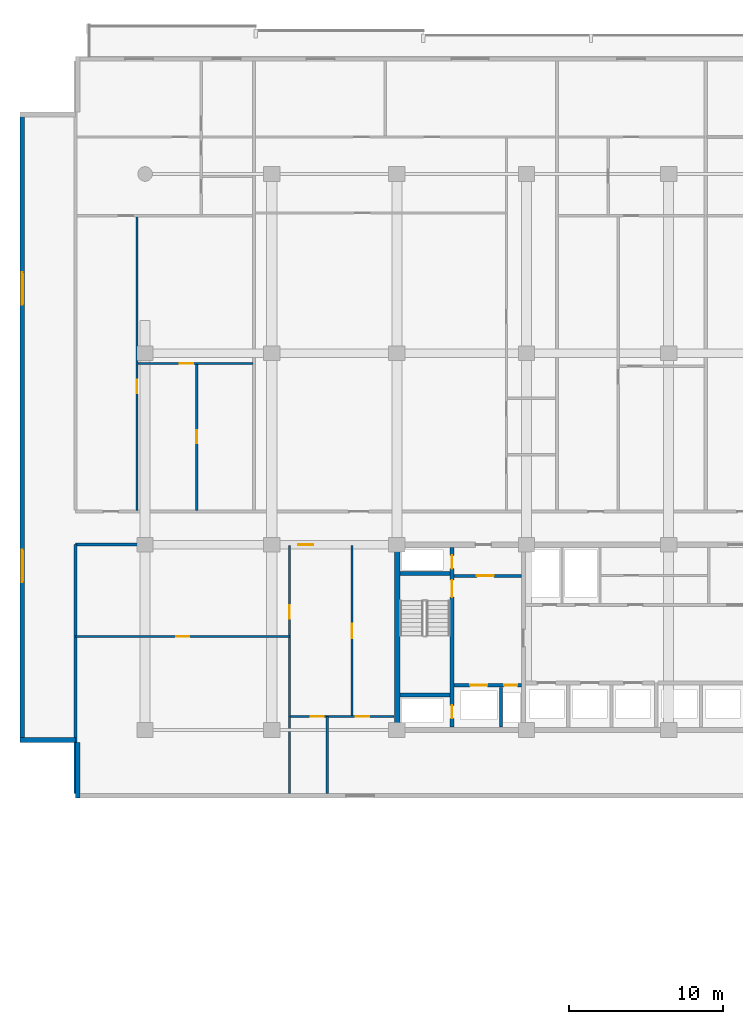
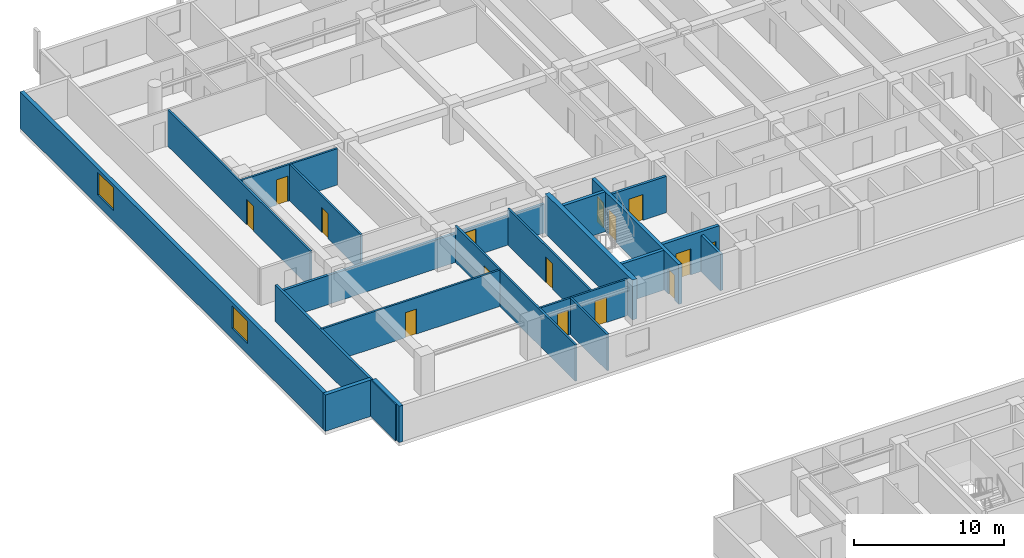
# One storey, part 10 of 24: 20 walls, 15 doors, 2 windows, 17 openings.
"""IFC4 building model written with IfcOpenShell, lengths in metres."""

import ifcopenshell
import ifcopenshell.guid

model = None  # the IFC model being written
_history = None  # IfcOwnerHistory: only IFC2X3 demands one
_inside = {}  # id of a spatial element -> (the spatial element, [elements in it])
_under = {}  # id of a project, library or spatial element -> (it, [spatial elements below it])
_declared = {}  # id of a project -> (the project, [libraries it declares])
_typed = {}  # id of a type object -> (the type object, [elements of that type])
_made_of = {}  # id of a material, layer set ... -> (it, [elements and type objects made of it])


def new_model(schema):
    """Start an empty IFC model of exactly this schema.

    Asked for "IFC4X3", IfcOpenShell would pick the latest addendum, in which some entities
    have other attributes; the version numbers below select the first issue.
    IFC2X3 requires an IfcOwnerHistory on every rooted entity: one is made here for all.
    """
    global model, _history
    if schema == "IFC4X3":
        model = ifcopenshell.file(schema_version=(4, 3, 0, 0))
    else:
        model = ifcopenshell.file(schema=schema)
    _inside.clear()
    _under.clear()
    _declared.clear()
    _typed.clear()
    _made_of.clear()
    _history = None
    if model.schema == "IFC2X3":
        org = make("IfcOrganization", Name="unknown")
        user = make(
            "IfcPersonAndOrganization",
            ThePerson=make("IfcPerson", FamilyName="unknown"),
            TheOrganization=org,
        )
        app = make(
            "IfcApplication",
            ApplicationDeveloper=org,
            Version="unknown",
            ApplicationFullName="unknown",
            ApplicationIdentifier="unknown",
        )
        _history = make(
            "IfcOwnerHistory",
            OwningUser=user,
            OwningApplication=app,
            ChangeAction="ADDED",
            CreationDate=0,
        )
    return model


def make(cls, **values):
    """One entity of the class cls with the attributes given. An attribute that is None is left unset."""
    return model.create_entity(
        cls, **{name: value for name, value in values.items() if value is not None}
    )


def rooted(cls, **values):
    """An entity with a GlobalId (a new one), such as an element, a storey or a relation."""
    return make(cls, GlobalId=ifcopenshell.guid.new(), OwnerHistory=_history, **values)


def si_unit(unit_type, name, prefix=None):
    """IfcSIUnit, for example si_unit("LENGTHUNIT", "METRE", prefix="MILLI")."""
    return make("IfcSIUnit", UnitType=unit_type, Prefix=prefix, Name=name)


def assignment(units):
    """IfcUnitAssignment: the units of a project."""
    return None if units is None else make("IfcUnitAssignment", Units=units)


def point(xyz):
    """IfcCartesianPoint."""
    return None if xyz is None else make("IfcCartesianPoint", Coordinates=xyz)


def direction(xyz):
    """IfcDirection."""
    return None if xyz is None else make("IfcDirection", DirectionRatios=xyz)


def frame(location, z_axis=None, x_axis=None):
    """IfcAxis2Placement3D, a coordinate frame: its origin and axes. An axis left out is left unset."""
    return make(
        "IfcAxis2Placement3D",
        Location=point(location),
        Axis=direction(z_axis),
        RefDirection=direction(x_axis),
    )


def frame_2d(location, x_axis=None):
    """IfcAxis2Placement2D, a coordinate frame in the plane: its origin and x axis."""
    return make(
        "IfcAxis2Placement2D", Location=point(location), RefDirection=direction(x_axis)
    )


def origin():
    """The frame at (0, 0, 0) with its axes left unset."""
    return frame((0.0, 0.0, 0.0))


def place(relative_to, where):
    """IfcLocalPlacement: puts the frame where relative to a parent placement (None: the world)."""
    return make(
        "IfcLocalPlacement", PlacementRelTo=relative_to, RelativePlacement=where
    )


def context(
    kind, dimensions, precision=None, world=None, true_north=None, identifier=None
):
    """IfcGeometricRepresentationContext, for example the 3D "Model" context."""
    return make(
        "IfcGeometricRepresentationContext",
        ContextIdentifier=identifier,
        ContextType=kind,
        CoordinateSpaceDimension=dimensions,
        Precision=precision,
        WorldCoordinateSystem=world,
        TrueNorth=true_north,
    )


def subcontext(parent, identifier, kind, view, scale=None):
    """IfcGeometricRepresentationSubContext, for example "Body" below "Model"."""
    return make(
        "IfcGeometricRepresentationSubContext",
        ContextIdentifier=identifier,
        ContextType=kind,
        ParentContext=parent,
        TargetScale=scale,
        TargetView=view,
    )


def project(units=None, contexts=None):
    """IfcProject with its units and contexts."""
    return rooted(
        "IfcProject",
        Name="project",
        RepresentationContexts=contexts,
        UnitsInContext=assignment(units),
    )


def spatial(cls, under=None, at=None, **own):
    """A site, building, storey or space (cls), placed at a placement, below another one or the project."""
    s = rooted(cls, ObjectPlacement=at, **own)
    if under is not None:
        _under.setdefault(under.id(), (under, []))[1].append(s)
    return s


def profile(cls, at=None, kind="AREA", **sizes):
    """A parametric profile (cls). Its sizes go by their IFC names, for example OverallWidth=200.0."""
    return make(cls, ProfileType=kind, Position=at, **sizes)


def rectangle(**sizes):
    """IfcRectangleProfileDef."""
    return profile("IfcRectangleProfileDef", **sizes)


def extrude(swept, where, along, depth):
    """IfcExtrudedAreaSolid: the profile swept, set in the frame where, extruded along a direction by depth."""
    return make(
        "IfcExtrudedAreaSolid",
        SweptArea=swept,
        Position=where,
        ExtrudedDirection=direction(along),
        Depth=depth,
    )


def shape(context_of_items, identifier, shape_type, items):
    """IfcShapeRepresentation: the items that make up one representation, for example the "Body"."""
    return make(
        "IfcShapeRepresentation",
        ContextOfItems=context_of_items,
        RepresentationIdentifier=identifier,
        RepresentationType=shape_type,
        Items=items,
    )


def material(Name=None, Category=None):
    """IfcMaterial."""
    return make("IfcMaterial", Name=Name, Category=Category)


def layer(
    of_material, thickness, ventilated=None, Name=None, Category=None, Priority=None
):
    """IfcMaterialLayer: one layer of a wall or slab, of a material (None: an air gap)."""
    return make(
        "IfcMaterialLayer",
        Material=of_material,
        LayerThickness=thickness,
        IsVentilated=ventilated,
        Name=Name,
        Category=Category,
        Priority=Priority,
    )


def layer_set(layers, Name=None):
    """IfcMaterialLayerSet."""
    return make("IfcMaterialLayerSet", MaterialLayers=layers, LayerSetName=Name)


def made_of(thing, what):
    """Note that an element or type object is made of a material, layer set ...; save() writes the relation."""
    if what is not None:
        _made_of.setdefault(what.id(), (what, []))[1].append(thing)
    return thing


def type_object(cls, material=None, **own):
    """A type object (cls), such as IfcWallType, which elements share."""
    return made_of(rooted(cls, **own), material)


def element(
    cls,
    number,
    at=None,
    inside=None,
    cuts=None,
    type_object=None,
    material=None,
    context=None,
    identifier="Body",
    shape_type=None,
    held_by="IfcProductDefinitionShape",
    body=None,
    shapes=None,
    **own,
):
    """One element of the class cls, such as IfcWall. Its Tag is "e" and its number.

    at: its placement. inside: the storey or other place that contains it. cuts: it is an
    opening in that element (IfcRelVoidsElement). A single representation is given by context,
    identifier, shape_type and body (its items); several are given by shapes. held_by: the class
    of the entity that holds the representations. save() writes the other relations.
    """
    e = rooted(cls, Tag="e%d" % number, ObjectPlacement=at, **own)
    if body is not None:
        shapes = [shape(context, identifier, shape_type, body)]
    if shapes is not None:
        e.Representation = make(held_by, Representations=shapes)
    if inside is not None:
        _inside.setdefault(inside.id(), (inside, []))[1].append(e)
    if cuts is not None:
        rooted(
            "IfcRelVoidsElement", RelatingBuildingElement=cuts, RelatedOpeningElement=e
        )
    if type_object is not None:
        _typed.setdefault(type_object.id(), (type_object, []))[1].append(e)
    return made_of(e, material)


def fill(opening, filler):
    """IfcRelFillsElement: the door or window that sits in an opening."""
    return rooted(
        "IfcRelFillsElement",
        RelatingOpeningElement=opening,
        RelatedBuildingElement=filler,
    )


def aggregate(whole, parts):
    """IfcRelAggregates: a whole, such as a stair, and the parts it consists of."""
    return rooted("IfcRelAggregates", RelatingObject=whole, RelatedObjects=parts)


def save(model, path):
    """Write the relations noted so far, then the file.

    IfcRelAggregates (storeys below a building ...), IfcRelContainedInSpatialStructure (elements
    in a storey), IfcRelDefinesByType, IfcRelAssociatesMaterial and IfcRelDeclares: one each for
    every whole, place, type object, material and project.
    """
    for whole, parts in _under.values():
        aggregate(whole, parts)
    for where, things in _inside.values():
        rooted(
            "IfcRelContainedInSpatialStructure",
            RelatedElements=things,
            RelatingStructure=where,
        )
    for kind, things in _typed.values():
        rooted("IfcRelDefinesByType", RelatedObjects=things, RelatingType=kind)
    for what, things in _made_of.values():
        rooted("IfcRelAssociatesMaterial", RelatedObjects=things, RelatingMaterial=what)
    for by, libraries in _declared.values():
        rooted("IfcRelDeclares", RelatingContext=by, RelatedDefinitions=libraries)
    model.write(path)


model = new_model("IFC4")

# Units and contexts
model_context = context("Model", 3, precision=1e-05, world=origin(), true_north=direction((0.0, 1.0)))
body_context = subcontext(model_context, "Body", "Model", "MODEL_VIEW")
ifc_project = project(units=[si_unit("LENGTHUNIT", "METRE"), si_unit("AREAUNIT", "SQUARE_METRE"), si_unit("VOLUMEUNIT", "CUBIC_METRE"), si_unit("PLANEANGLEUNIT", "RADIAN"), si_unit("MASSUNIT", "GRAM", prefix="KILO")], contexts=[model_context])

# Site, building, storey
site_placement = place(None, origin())
site = spatial("IfcSite", under=ifc_project, at=site_placement, CompositionType="ELEMENT")
building_placement = place(site_placement, origin())
building = spatial("IfcBuilding", under=site, at=building_placement, Name="Korimba Cascade Residences", CompositionType="ELEMENT")
storey_placement = place(building_placement, frame((0.0, 0.0, 63.0)))
storey = spatial("IfcBuildingStorey", under=building, at=storey_placement, Name="L17", CompositionType="ELEMENT", Elevation=63.0)

# Wall, openings, windows
ifc_material_1 = material(Name="Precast concrete C40/50", Category="concrete")
ifc_layer_1 = layer(ifc_material_1, 0.300048828125)
ifc_layer_set_1 = layer_set([ifc_layer_1], Name="Precast concrete C40/50")
wall_type_1 = type_object("IfcWallType", Name="EW-STONE-300", PredefinedType="STANDARD", material=ifc_layer_set_1)
wall_1_placement = place(storey_placement, frame((51.85009765625, 95.199951171875, 0.0), z_axis=(0.0, 0.0, 1.0), x_axis=(0.0, -1.0, 0.0)))
wall_1 = element("IfcWall", 1, at=wall_1_placement, inside=storey, type_object=wall_type_1, Name="L17 T1 Perimeter Stone Wall E09", PredefinedType="STANDARD", context=body_context, shape_type="SweptSolid", body=[
    extrude(rectangle(XDim=40.800048828125, YDim=0.300048828125, at=frame_2d((20.39990234375, 0.0))), origin(), (0.0, 0.0, 1.0), 2.969970703125),
])
opening_1_placement = place(wall_1_placement, frame((10.3740234375, 0.0, 0.85009765625)))
opening_1 = element("IfcOpeningElement", 2, at=opening_1_placement, cuts=wall_1, Name="Opening W-03", PredefinedType="OPENING", context=body_context, shape_type="SweptSolid", body=[
    extrude(rectangle(XDim=2.10009765625, YDim=1.85009765625, at=frame_2d((1.050048828125, 0.925048828125))), frame((0.0, 0.16015625, 0.0), z_axis=(0.0, -1.0, 0.0), x_axis=(1.0, 0.0, 0.0)), (0.0, 0.0, 1.0), 0.320068359375),
])
opening_2_placement = place(wall_1_placement, frame((28.325927734375, 0.0, 0.85009765625)))
opening_2 = element("IfcOpeningElement", 3, at=opening_2_placement, cuts=wall_1, Name="Opening W-03", PredefinedType="OPENING", context=body_context, shape_type="SweptSolid", body=[
    extrude(rectangle(XDim=2.10009765625, YDim=1.85009765625, at=frame_2d((1.050048828125, 0.925048828125))), frame((0.0, 0.16015625, 0.0), z_axis=(0.0, -1.0, 0.0), x_axis=(1.0, 0.0, 0.0)), (0.0, 0.0, 1.0), 0.320068359375),
])
ifc_material_2 = material(Name="Double-Glazed Aluminium Window", Category="aluminium")
window_type = type_object("IfcWindowType", Name="WIN-CRN-2100", PartitioningType="DOUBLE_PANEL_HORIZONTAL", PredefinedType="WINDOW", material=ifc_material_2)
window_1_placement = place(opening_1_placement, origin())
window_1 = element("IfcWindow", 4, at=window_1_placement, inside=storey, type_object=window_type, Name="L17 T1 End View Window 9.1", OverallHeight=1.85009765625, OverallWidth=2.10009765625, PartitioningType="DOUBLE_PANEL_HORIZONTAL", PredefinedType="WINDOW", context=body_context, shape_type="SweptSolid", body=[
    extrude(rectangle(XDim=2.10009765625, YDim=1.85009765625, at=frame_2d((1.050048828125, 0.925048828125))), frame((0.0, 0.030029296875, 0.0), z_axis=(0.0, -1.0, 0.0), x_axis=(1.0, 0.0, 0.0)), (0.0, 0.0, 1.0), 0.06005859375),
])
fill(opening_1, window_1)
window_2_placement = place(opening_2_placement, origin())
window_2 = element("IfcWindow", 5, at=window_2_placement, inside=storey, type_object=window_type, Name="L17 T1 End View Window 9.2", OverallHeight=1.85009765625, OverallWidth=2.10009765625, PartitioningType="DOUBLE_PANEL_HORIZONTAL", PredefinedType="WINDOW", context=body_context, shape_type="SweptSolid", body=[
    extrude(rectangle(XDim=2.10009765625, YDim=1.85009765625, at=frame_2d((1.050048828125, 0.925048828125))), frame((0.0, 0.030029296875, 0.0), z_axis=(0.0, -1.0, 0.0), x_axis=(1.0, 0.0, 0.0)), (0.0, 0.0, 1.0), 0.06005859375),
])
fill(opening_2, window_2)

# Walls
wall_2_placement = place(storey_placement, frame((51.699951171875, 54.550048828125, 0.0), z_axis=(0.0, 0.0, 1.0), x_axis=(1.0, 0.0, 0.0)))
element("IfcWall", 6, at=wall_2_placement, inside=storey, type_object=wall_type_1, Name="L17 T1 Perimeter Stone Wall E10", PredefinedType="STANDARD", context=body_context, shape_type="SweptSolid", body=[
    extrude(rectangle(XDim=3.60009765625, YDim=0.300048828125, at=frame_2d((1.800048828125, 0.0))), origin(), (0.0, 0.0, 1.0), 2.969970703125),
])
wall_3_placement = place(storey_placement, frame((55.449951171875, 54.39990234375, 0.0), z_axis=(0.0, 0.0, 1.0), x_axis=(0.0, -1.0, 0.0)))
element("IfcWall", 7, at=wall_3_placement, inside=storey, type_object=wall_type_1, Name="L17 T1 Perimeter Stone Wall E11", PredefinedType="STANDARD", context=body_context, shape_type="SweptSolid", body=[
    extrude(rectangle(XDim=3.599853515625, YDim=0.300048828125, at=frame_2d((1.7998046875, 0.0))), origin(), (0.0, 0.0, 1.0), 2.969970703125),
])
ifc_material_3 = material(Name="Concrete C65/80", Category="concrete")
ifc_layer_2 = layer(ifc_material_3, 0.35009765625)
ifc_layer_set_2 = layer_set([ifc_layer_2], Name="Concrete C65/80")
wall_type_2 = type_object("IfcWallType", Name="WAL-CORE-350", PredefinedType="SHEAR", material=ifc_layer_set_2)
wall_4_placement = place(storey_placement, frame((76.125, 55.375, 0.0), z_axis=(0.0, 0.0, 1.0), x_axis=(0.0, 1.0, 0.0)))
element("IfcWall", 8, at=wall_4_placement, inside=storey, type_object=wall_type_2, Name="L17 Core Shear Wall CW-L17-T1-W", PredefinedType="SHEAR", context=body_context, shape_type="SweptSolid", body=[
    extrude(rectangle(XDim=11.64990234375, YDim=0.35009765625, at=frame_2d((5.824951171875, 0.0))), origin(), (0.0, 0.0, 1.0), 3.25),
])
ifc_layer_3 = layer(ifc_material_1, 0.199951171875)
ifc_layer_set_3 = layer_set([ifc_layer_3], Name="Precast concrete C40/50")
wall_type_3 = type_object("IfcWallType", Name="WAL-IT-200", PredefinedType="PARTITIONING", material=ifc_layer_set_3)
wall_5_placement = place(storey_placement, frame((55.300048828125, 51.10009765625, 0.0), z_axis=(0.0, 0.0, 1.0), x_axis=(0.0, 1.0, 0.0)))
element("IfcWall", 9, at=wall_5_placement, inside=storey, type_object=wall_type_3, Name="L17 Partition Wall WAL-L17-T1-FW-WL", PredefinedType="PARTITIONING", context=body_context, shape_type="SweptSolid", body=[
    extrude(rectangle(XDim=16.099853515625, YDim=0.199951171875, at=frame_2d((8.0498046875, 0.0))), origin(), (0.0, 0.0, 1.0), 2.969970703125),
])

# Wall, opening, door
wall_6_placement = place(storey_placement, frame((55.300048828125, 67.199951171875, 0.0), z_axis=(0.0, 0.0, 1.0), x_axis=(1.0, 0.0, 0.0)))
wall_6 = element("IfcWall", 10, at=wall_6_placement, inside=storey, type_object=wall_type_3, Name="L17 Partition Wall WAL-L17-T1-FW-N", PredefinedType="PARTITIONING", context=body_context, shape_type="SweptSolid", body=[
    extrude(rectangle(XDim=20.64990234375, YDim=0.199951171875, at=frame_2d((10.324951171875, 0.0))), origin(), (0.0, 0.0, 1.0), 2.3701171875),
])
opening_3_placement = place(wall_6_placement, frame((14.426025390625, 0.0, 0.0)))
opening_3 = element("IfcOpeningElement", 11, at=opening_3_placement, cuts=wall_6, Name="Opening D-UN1", PredefinedType="OPENING", context=body_context, shape_type="SweptSolid", body=[
    extrude(rectangle(XDim=0.949951171875, YDim=2.14990234375, at=frame_2d((0.47509765625, 1.074951171875))), frame((0.0, 0.10986328125, 0.0), z_axis=(0.0, -1.0, 0.0), x_axis=(1.0, 0.0, 0.0)), (0.0, 0.0, 1.0), 0.219970703125),
])
ifc_material_4 = material(Name="Fire-Rated Hardwood Apartment Entrance Door", Category="wood")
door_type_1 = type_object("IfcDoorType", Name="DR-FD60-950", OperationType="NOTDEFINED", PredefinedType="DOOR", material=ifc_material_4)
door_1_placement = place(opening_3_placement, origin())
door_1 = element("IfcDoor", 12, at=door_1_placement, inside=storey, type_object=door_type_1, Name="L17-T1-FW Entrance Door", OperationType="SINGLE_SWING_RIGHT", OverallHeight=2.14990234375, OverallWidth=0.949951171875, PredefinedType="DOOR", context=body_context, shape_type="SweptSolid", body=[
    extrude(rectangle(XDim=0.949951171875, YDim=2.14990234375, at=frame_2d((0.47509765625, 1.074951171875))), frame((0.0, 0.02490234375, 0.0), z_axis=(0.0, -1.0, 0.0), x_axis=(1.0, 0.0, 0.0)), (0.0, 0.0, 1.0), 0.050048828125),
])
fill(opening_3, door_1)

ifc_material_5 = material(Name="Insulated Acoustic Stud Partition", Category="gypsum")
ifc_layer_4 = layer(ifc_material_5, 0.14990234375)
ifc_layer_set_4 = layer_set([ifc_layer_4], Name="Insulated Acoustic Stud Partition")
wall_type_4 = type_object("IfcWallType", Name="WAL-PART-150", PredefinedType="PARTITIONING", material=ifc_layer_set_4)
wall_7_placement = place(storey_placement, frame((55.300048828125, 61.25, 0.0), z_axis=(0.0, 0.0, 1.0), x_axis=(1.0, 0.0, 0.0)))
wall_7 = element("IfcWall", 13, at=wall_7_placement, inside=storey, type_object=wall_type_4, Name="L17 Partition Wall WAL-L17-T1-FW-STH", PredefinedType="PARTITIONING", context=body_context, shape_type="SweptSolid", body=[
    extrude(rectangle(XDim=13.849853515625, YDim=0.14990234375, at=frame_2d((6.9248046875, 0.0))), origin(), (0.0, 0.0, 1.0), 2.969970703125),
])
opening_4_placement = place(wall_7_placement, frame((6.5048828125, 0.0, 0.0)))
opening_4 = element("IfcOpeningElement", 14, at=opening_4_placement, cuts=wall_7, Name="Opening D-BT1", PredefinedType="OPENING", context=body_context, shape_type="SweptSolid", body=[
    extrude(rectangle(XDim=0.840087890625, YDim=2.0400390625, at=frame_2d((0.419921875, 1.02001953125))), frame((0.0, 0.0849609375, 0.0), z_axis=(0.0, -1.0, 0.0), x_axis=(1.0, 0.0, 0.0)), (0.0, 0.0, 1.0), 0.169921875),
])
ifc_material_6 = material(Name="Moisture-Resistant Bathroom Timber Door", Category="wood")
door_type_2 = type_object("IfcDoorType", Name="DR-INT-850", OperationType="NOTDEFINED", PredefinedType="DOOR", material=ifc_material_6)
door_2_placement = place(opening_4_placement, origin())
door_2 = element("IfcDoor", 15, at=door_2_placement, inside=storey, type_object=door_type_2, Name="L17-T1-FW Dressing Store Door", OperationType="SINGLE_SWING_LEFT", OverallHeight=2.0400390625, OverallWidth=0.840087890625, PredefinedType="DOOR", context=body_context, shape_type="SweptSolid", body=[
    extrude(rectangle(XDim=0.840087890625, YDim=2.0400390625, at=frame_2d((0.419921875, 1.02001953125))), frame((0.0, 0.02490234375, 0.0), z_axis=(0.0, -1.0, 0.0), x_axis=(1.0, 0.0, 0.0)), (0.0, 0.0, 1.0), 0.050048828125),
])
fill(opening_4, door_2)

wall_8_placement = place(storey_placement, frame((69.14990234375, 51.10009765625, 0.0), z_axis=(0.0, 0.0, 1.0), x_axis=(0.0, 1.0, 0.0)))
wall_8 = element("IfcWall", 16, at=wall_8_placement, inside=storey, type_object=wall_type_4, Name="L17 Partition Wall WAL-L17-T1-FW-STV", PredefinedType="PARTITIONING", context=body_context, shape_type="SweptSolid", body=[
    extrude(rectangle(XDim=16.0498046875, YDim=0.14990234375, at=frame_2d((8.02490234375, 0.0))), origin(), (0.0, 0.0, 1.0), 2.969970703125),
])
opening_5_placement = place(wall_8_placement, frame((11.300048828125, 0.0, 0.0)))
opening_5 = element("IfcOpeningElement", 17, at=opening_5_placement, cuts=wall_8, Name="Opening D-IN2", PredefinedType="OPENING", context=body_context, shape_type="SweptSolid", body=[
    extrude(rectangle(XDim=0.8798828125, YDim=2.06005859375, at=frame_2d((0.43994140625, 1.030029296875))), frame((0.0, 0.0849609375, 0.0), z_axis=(0.0, -1.0, 0.0), x_axis=(1.0, 0.0, 0.0)), (0.0, 0.0, 1.0), 0.169921875),
])
ifc_material_7 = material(Name="Acoustic Timber Bedroom Door", Category="wood")
door_type_3 = type_object("IfcDoorType", Name="DR-INT-880", OperationType="NOTDEFINED", PredefinedType="DOOR", material=ifc_material_7)
door_3_placement = place(opening_5_placement, origin())
door_3 = element("IfcDoor", 18, at=door_3_placement, inside=storey, type_object=door_type_3, Name="L17-T1-FW Study Door", OperationType="SINGLE_SWING_RIGHT", OverallHeight=2.06005859375, OverallWidth=0.8798828125, PredefinedType="DOOR", context=body_context, shape_type="SweptSolid", body=[
    extrude(rectangle(XDim=0.8798828125, YDim=2.06005859375, at=frame_2d((0.43994140625, 1.030029296875))), frame((0.0, 0.02490234375, 0.0), z_axis=(0.0, -1.0, 0.0), x_axis=(1.0, 0.0, 0.0)), (0.0, 0.0, 1.0), 0.050048828125),
])
fill(opening_5, door_3)

wall_9_placement = place(storey_placement, frame((73.199951171875, 56.070068359375, 0.0), z_axis=(0.0, 0.0, 1.0), x_axis=(0.0, 1.0, 0.0)))
wall_9 = element("IfcWall", 19, at=wall_9_placement, inside=storey, type_object=wall_type_4, Name="L17 Partition Wall WAL-L17-T1-FW-VN", PredefinedType="PARTITIONING", context=body_context, shape_type="SweptSolid", body=[
    extrude(rectangle(XDim=11.079833984375, YDim=0.14990234375, at=frame_2d((5.5400390625, 0.0))), origin(), (0.0, 0.0, 1.0), 2.969970703125),
])
opening_6_placement = place(wall_9_placement, frame((5.080078125, 0.0, 0.0)))
opening_6 = element("IfcOpeningElement", 20, at=opening_6_placement, cuts=wall_9, Name="Opening D-IN1", PredefinedType="OPENING", context=body_context, shape_type="SweptSolid", body=[
    extrude(rectangle(XDim=0.919921875, YDim=2.080078125, at=frame_2d((0.4599609375, 1.0400390625))), frame((0.0, 0.0849609375, 0.0), z_axis=(0.0, -1.0, 0.0), x_axis=(1.0, 0.0, 0.0)), (0.0, 0.0, 1.0), 0.169921875),
])
ifc_material_8 = material(Name="Acoustic Timber Living Door", Category="wood")
door_type_4 = type_object("IfcDoorType", Name="DR-INT-920", OperationType="NOTDEFINED", PredefinedType="DOOR", material=ifc_material_8)
door_4_placement = place(opening_6_placement, origin())
door_4 = element("IfcDoor", 21, at=door_4_placement, inside=storey, type_object=door_type_4, Name="L17-T1-FW Living Door", OperationType="SINGLE_SWING_LEFT", OverallHeight=2.080078125, OverallWidth=0.919921875, PredefinedType="DOOR", context=body_context, shape_type="SweptSolid", body=[
    extrude(rectangle(XDim=0.919921875, YDim=2.080078125, at=frame_2d((0.4599609375, 1.0400390625))), frame((0.0, 0.02490234375, 0.0), z_axis=(0.0, -1.0, 0.0), x_axis=(1.0, 0.0, 0.0)), (0.0, 0.0, 1.0), 0.050048828125),
])
fill(opening_6, door_4)

# Wall
wall_10_placement = place(storey_placement, frame((71.60009765625, 51.10009765625, 0.0), z_axis=(0.0, 0.0, 1.0), x_axis=(0.0, 1.0, 0.0)))
element("IfcWall", 22, at=wall_10_placement, inside=storey, type_object=wall_type_4, Name="L17 Partition Wall WAL-L17-T1-FW-VS", PredefinedType="PARTITIONING", context=body_context, shape_type="SweptSolid", body=[
    extrude(rectangle(XDim=4.969970703125, YDim=0.14990234375, at=frame_2d((2.48486328125, 0.0))), origin(), (0.0, 0.0, 1.0), 2.969970703125),
])

# Wall, openings, doors
wall_11_placement = place(storey_placement, frame((69.169921875, 56.070068359375, 0.0), z_axis=(0.0, 0.0, 1.0), x_axis=(1.0, 0.0, 0.0)))
wall_11 = element("IfcWall", 23, at=wall_11_placement, inside=storey, type_object=wall_type_4, Name="L17 Partition Wall WAL-L17-T1-FW-H", PredefinedType="PARTITIONING", context=body_context, shape_type="SweptSolid", body=[
    extrude(rectangle(XDim=6.760009765625, YDim=0.14990234375, at=frame_2d((3.3798828125, 0.0))), origin(), (0.0, 0.0, 1.0), 2.969970703125),
])
opening_7_placement = place(wall_11_placement, frame((1.3623046875, 0.0, 0.0)))
opening_7 = element("IfcOpeningElement", 24, at=opening_7_placement, cuts=wall_11, Name="Opening D-BT1", PredefinedType="OPENING", context=body_context, shape_type="SweptSolid", body=[
    extrude(rectangle(XDim=0.840087890625, YDim=2.0400390625, at=frame_2d((0.419921875, 1.02001953125))), frame((0.0, 0.0849609375, 0.0), z_axis=(0.0, -1.0, 0.0), x_axis=(1.0, 0.0, 0.0)), (0.0, 0.0, 1.0), 0.169921875),
])
opening_8_placement = place(wall_11_placement, frame((4.276611328125, 0.0, 0.0)))
opening_8 = element("IfcOpeningElement", 25, at=opening_8_placement, cuts=wall_11, Name="Opening D-IN2", PredefinedType="OPENING", context=body_context, shape_type="SweptSolid", body=[
    extrude(rectangle(XDim=0.8798828125, YDim=2.06005859375, at=frame_2d((0.43994140625, 1.030029296875))), frame((0.0, 0.0849609375, 0.0), z_axis=(0.0, -1.0, 0.0), x_axis=(1.0, 0.0, 0.0)), (0.0, 0.0, 1.0), 0.169921875),
])
door_5_placement = place(opening_7_placement, origin())
door_5 = element("IfcDoor", 26, at=door_5_placement, inside=storey, type_object=door_type_2, Name="L17-T1-FW Bathroom Door", OperationType="SINGLE_SWING_RIGHT", OverallHeight=2.0400390625, OverallWidth=0.840087890625, PredefinedType="DOOR", context=body_context, shape_type="SweptSolid", body=[
    extrude(rectangle(XDim=0.840087890625, YDim=2.0400390625, at=frame_2d((0.419921875, 1.02001953125))), frame((0.0, 0.02490234375, 0.0), z_axis=(0.0, -1.0, 0.0), x_axis=(1.0, 0.0, 0.0)), (0.0, 0.0, 1.0), 0.050048828125),
])
fill(opening_7, door_5)
door_6_placement = place(opening_8_placement, origin())
door_6 = element("IfcDoor", 27, at=door_6_placement, inside=storey, type_object=door_type_3, Name="L17-T1-FW Bedroom Door", OperationType="SINGLE_SWING_LEFT", OverallHeight=2.06005859375, OverallWidth=0.8798828125, PredefinedType="DOOR", context=body_context, shape_type="SweptSolid", body=[
    extrude(rectangle(XDim=0.8798828125, YDim=2.06005859375, at=frame_2d((0.43994140625, 1.030029296875))), frame((0.0, 0.02490234375, 0.0), z_axis=(0.0, -1.0, 0.0), x_axis=(1.0, 0.0, 0.0)), (0.0, 0.0, 1.0), 0.050048828125),
])
fill(opening_8, door_6)

# Wall, opening, door
wall_12_placement = place(storey_placement, frame((63.152099609375, 69.409912109375, 0.0), z_axis=(0.0, 0.0, 1.0), x_axis=(0.0, 1.0, 0.0)))
wall_12 = element("IfcWall", 28, at=wall_12_placement, inside=storey, type_object=wall_type_4, Name="L17 Partition Wall WAL-L17-T1-U01-FMV", PredefinedType="PARTITIONING", context=body_context, shape_type="SweptSolid", body=[
    extrude(rectangle(XDim=9.525146484375, YDim=0.14990234375, at=frame_2d((4.7626953125, 0.0))), origin(), (0.0, 0.0, 1.0), 2.969970703125),
])
opening_9_placement = place(wall_12_placement, frame((4.342529296875, 0.0, 0.0)))
opening_9 = element("IfcOpeningElement", 29, at=opening_9_placement, cuts=wall_12, Name="Opening D-BT1", PredefinedType="OPENING", context=body_context, shape_type="SweptSolid", body=[
    extrude(rectangle(XDim=0.840087890625, YDim=2.0400390625, at=frame_2d((0.419921875, 1.02001953125))), frame((0.0, 0.0849609375, 0.0), z_axis=(0.0, -1.0, 0.0), x_axis=(1.0, 0.0, 0.0)), (0.0, 0.0, 1.0), 0.169921875),
])
door_7_placement = place(opening_9_placement, origin())
door_7 = element("IfcDoor", 30, at=door_7_placement, inside=storey, type_object=door_type_2, Name="L17-T1-U01 Wardrobe Door", OperationType="SINGLE_SWING_LEFT", OverallHeight=2.0400390625, OverallWidth=0.840087890625, PredefinedType="DOOR", context=body_context, shape_type="SweptSolid", body=[
    extrude(rectangle(XDim=0.840087890625, YDim=2.0400390625, at=frame_2d((0.419921875, 1.02001953125))), frame((0.0, 0.02490234375, 0.0), z_axis=(0.0, -1.0, 0.0), x_axis=(1.0, 0.0, 0.0)), (0.0, 0.0, 1.0), 0.050048828125),
])
fill(opening_9, door_7)

wall_13_placement = place(storey_placement, frame((59.330078125, 78.93505859375, 0.0), z_axis=(0.0, 0.0, 1.0), x_axis=(1.0, 0.0, 0.0)))
wall_13 = element("IfcWall", 31, at=wall_13_placement, inside=storey, type_object=wall_type_4, Name="L17 Partition Wall WAL-L17-T1-U01-FMH", PredefinedType="PARTITIONING", context=body_context, shape_type="SweptSolid", body=[
    extrude(rectangle(XDim=7.4443359375, YDim=0.14990234375, at=frame_2d((3.72216796875, 0.0))), origin(), (0.0, 0.0, 1.0), 2.969970703125),
])
opening_10_placement = place(wall_13_placement, frame((2.72216796875, 0.0, 0.0)))
opening_10 = element("IfcOpeningElement", 32, at=opening_10_placement, cuts=wall_13, Name="Opening D-IN2", PredefinedType="OPENING", context=body_context, shape_type="SweptSolid", body=[
    extrude(rectangle(XDim=0.8798828125, YDim=2.06005859375, at=frame_2d((0.43994140625, 1.030029296875))), frame((0.0, 0.0849609375, 0.0), z_axis=(0.0, -1.0, 0.0), x_axis=(1.0, 0.0, 0.0)), (0.0, 0.0, 1.0), 0.169921875),
])
door_8_placement = place(opening_10_placement, origin())
door_8 = element("IfcDoor", 33, at=door_8_placement, inside=storey, type_object=door_type_3, Name="L17-T1-U01 Library Salon Door", OperationType="SINGLE_SWING_RIGHT", OverallHeight=2.06005859375, OverallWidth=0.8798828125, PredefinedType="DOOR", context=body_context, shape_type="SweptSolid", body=[
    extrude(rectangle(XDim=0.8798828125, YDim=2.06005859375, at=frame_2d((0.43994140625, 1.030029296875))), frame((0.0, 0.02490234375, 0.0), z_axis=(0.0, -1.0, 0.0), x_axis=(1.0, 0.0, 0.0)), (0.0, 0.0, 1.0), 0.050048828125),
])
fill(opening_10, door_8)

wall_14_placement = place(storey_placement, frame((59.27001953125, 69.409912109375, 0.0), z_axis=(0.0, 0.0, 1.0), x_axis=(0.0, 1.0, 0.0)))
wall_14 = element("IfcWall", 34, at=wall_14_placement, inside=storey, type_object=wall_type_4, Name="L17 Partition Wall WAL-L17-T1-U01-FV", PredefinedType="PARTITIONING", context=body_context, shape_type="SweptSolid", body=[
    extrude(rectangle(XDim=19.050048828125, YDim=0.14990234375, at=frame_2d((9.52490234375, 0.0))), origin(), (0.0, 0.0, 1.0), 2.969970703125),
])
opening_11_placement = place(wall_14_placement, frame((7.590576171875, 0.0, 0.0)))
opening_11 = element("IfcOpeningElement", 35, at=opening_11_placement, cuts=wall_14, Name="Opening D-IN2", PredefinedType="OPENING", context=body_context, shape_type="SweptSolid", body=[
    extrude(rectangle(XDim=0.8798828125, YDim=2.06005859375, at=frame_2d((0.43994140625, 1.030029296875))), frame((0.0, 0.0849609375, 0.0), z_axis=(0.0, -1.0, 0.0), x_axis=(1.0, 0.0, 0.0)), (0.0, 0.0, 1.0), 0.169921875),
])
door_9_placement = place(opening_11_placement, origin())
door_9 = element("IfcDoor", 36, at=door_9_placement, inside=storey, type_object=door_type_3, Name="L17-T1-U01 Media Lounge Door", OperationType="SINGLE_SWING_LEFT", OverallHeight=2.06005859375, OverallWidth=0.8798828125, PredefinedType="DOOR", context=body_context, shape_type="SweptSolid", body=[
    extrude(rectangle(XDim=0.8798828125, YDim=2.06005859375, at=frame_2d((0.43994140625, 1.030029296875))), frame((0.0, 0.02490234375, 0.0), z_axis=(0.0, -1.0, 0.0), x_axis=(1.0, 0.0, 0.0)), (0.0, 0.0, 1.0), 0.050048828125),
])
fill(opening_11, door_9)

# Wall
ifc_material_9 = material(Name="Concrete C40/50", Category="concrete")
ifc_layer_5 = layer(ifc_material_9, 0.199951171875)
ifc_layer_set_5 = layer_set([ifc_layer_5], Name="Concrete C40/50")
wall_type_5 = type_object("IfcWallType", Name="WAL-PART-200", PredefinedType="PARTITIONING", material=ifc_layer_set_5)
wall_15_placement = place(storey_placement, frame((82.85009765625, 55.39990234375, 0.0), z_axis=(0.0, 0.0, 1.0), x_axis=(0.0, 1.0, 0.0)))
element("IfcWall", 37, at=wall_15_placement, inside=storey, type_object=wall_type_5, Name="L17 Partition Wall CW-L17-T1-FFLDIV", PredefinedType="PARTITIONING", context=body_context, shape_type="SweptSolid", body=[
    extrude(rectangle(XDim=2.56005859375, YDim=0.199951171875, at=frame_2d((1.280029296875, 0.0))), origin(), (0.0, 0.0, 1.0), 2.969970703125),
])

# Wall, opening, door
wall_16_placement = place(storey_placement, frame((79.7900390625, 65.179931640625, 0.0), z_axis=(0.0, 0.0, 1.0), x_axis=(1.0, 0.0, 0.0)))
wall_16 = element("IfcWall", 38, at=wall_16_placement, inside=storey, type_object=wall_type_5, Name="L17 Partition Wall CW-L17-T1-FFLN", PredefinedType="PARTITIONING", context=body_context, shape_type="SweptSolid", body=[
    extrude(rectangle(XDim=4.389892578125, YDim=0.199951171875, at=frame_2d((2.19482421875, 0.0))), origin(), (0.0, 0.0, 1.0), 2.969970703125),
])
opening_12_placement = place(wall_16_placement, frame((1.5, 0.0, 0.0)))
opening_12 = element("IfcOpeningElement", 39, at=opening_12_placement, cuts=wall_16, Name="Opening D-FD1", PredefinedType="OPENING", context=body_context, shape_type="SweptSolid", body=[
    extrude(rectangle(XDim=1.10009765625, YDim=2.10009765625, at=frame_2d((0.550048828125, 1.050048828125))), frame((0.0, 0.10986328125, 0.0), z_axis=(0.0, -1.0, 0.0), x_axis=(1.0, 0.0, 0.0)), (0.0, 0.0, 1.0), 0.219970703125),
])
ifc_material_10 = material(Name="Fire-Rated Steel Core Door", Category="steel")
door_type_5 = type_object("IfcDoorType", Name="DR-FD120-1100", OperationType="NOTDEFINED", PredefinedType="DOOR", material=ifc_material_10)
door_10_placement = place(opening_12_placement, origin())
door_10 = element("IfcDoor", 40, at=door_10_placement, inside=storey, type_object=door_type_5, Name="L17 West Firefighting Lobby Door", OperationType="SINGLE_SWING_RIGHT", OverallHeight=2.10009765625, OverallWidth=1.10009765625, PredefinedType="DOOR", context=body_context, shape_type="SweptSolid", body=[
    extrude(rectangle(XDim=1.10009765625, YDim=2.10009765625, at=frame_2d((0.550048828125, 1.050048828125))), frame((0.0, 0.02490234375, 0.0), z_axis=(0.0, -1.0, 0.0), x_axis=(1.0, 0.0, 0.0)), (0.0, 0.0, 1.0), 0.050048828125),
])
fill(opening_12, door_10)

# Wall, openings, doors
ifc_material_11 = material(Name="Concrete C50/60", Category="concrete")
ifc_layer_6 = layer(ifc_material_11, 0.25)
ifc_layer_set_6 = layer_set([ifc_layer_6], Name="Concrete C50/60")
wall_type_6 = type_object("IfcWallType", Name="WAL-SHAFT-250", PredefinedType="SHEAR", material=ifc_layer_set_6)
wall_17_placement = place(storey_placement, frame((79.6650390625, 55.39990234375, 0.0), z_axis=(0.0, 0.0, 1.0), x_axis=(0.0, 1.0, 0.0)))
wall_17 = element("IfcWall", 41, at=wall_17_placement, inside=storey, type_object=wall_type_6, Name="L17 Core Shear Wall CW-L17-T1-STW1E", PredefinedType="SHEAR", context=body_context, shape_type="SweptSolid", body=[
    extrude(rectangle(XDim=11.60009765625, YDim=0.25, at=frame_2d((5.800048828125, 0.0))), origin(), (0.0, 0.0, 1.0), 3.25),
])
opening_13_placement = place(wall_17_placement, frame((0.550048828125, 0.0, 0.0)))
opening_13 = element("IfcOpeningElement", 42, at=opening_13_placement, cuts=wall_17, Name="Opening D-RS1", PredefinedType="OPENING", context=body_context, shape_type="SweptSolid", body=[
    extrude(rectangle(XDim=0.85009765625, YDim=2.050048828125, at=frame_2d((0.425048828125, 1.02490234375))), frame((0.0, 0.135009765625, 0.0), z_axis=(0.0, -1.0, 0.0), x_axis=(1.0, 0.0, 0.0)), (0.0, 0.0, 1.0), 0.27001953125),
])
opening_14_placement = place(wall_17_placement, frame((8.39990234375, 0.0, 0.0)))
opening_14 = element("IfcOpeningElement", 43, at=opening_14_placement, cuts=wall_17, Name="Opening D-FD1", PredefinedType="OPENING", context=body_context, shape_type="SweptSolid", body=[
    extrude(rectangle(XDim=1.10009765625, YDim=2.10009765625, at=frame_2d((0.550048828125, 1.050048828125))), frame((0.0, 0.135009765625, 0.0), z_axis=(0.0, -1.0, 0.0), x_axis=(1.0, 0.0, 0.0)), (0.0, 0.0, 1.0), 0.27001953125),
])
opening_15_placement = place(wall_17_placement, frame((10.25, 0.0, 0.0)))
opening_15 = element("IfcOpeningElement", 44, at=opening_15_placement, cuts=wall_17, Name="Opening D-RS1", PredefinedType="OPENING", context=body_context, shape_type="SweptSolid", body=[
    extrude(rectangle(XDim=0.85009765625, YDim=2.050048828125, at=frame_2d((0.425048828125, 1.02490234375))), frame((0.0, 0.135009765625, 0.0), z_axis=(0.0, -1.0, 0.0), x_axis=(1.0, 0.0, 0.0)), (0.0, 0.0, 1.0), 0.27001953125),
])
door_11_placement = place(opening_14_placement, origin())
door_11 = element("IfcDoor", 45, at=door_11_placement, inside=storey, type_object=door_type_5, Name="L17 Fire Stair ST-W1 Door", OperationType="SINGLE_SWING_LEFT", OverallHeight=2.10009765625, OverallWidth=1.10009765625, PredefinedType="DOOR", context=body_context, shape_type="SweptSolid", body=[
    extrude(rectangle(XDim=1.10009765625, YDim=2.10009765625, at=frame_2d((0.550048828125, 1.050048828125))), frame((0.0, 0.02490234375, 0.0), z_axis=(0.0, -1.0, 0.0), x_axis=(1.0, 0.0, 0.0)), (0.0, 0.0, 1.0), 0.050048828125),
])
fill(opening_14, door_11)
ifc_material_12 = material(Name="Fire-Rated Steel Riser Access Door", Category="steel")
door_type_6 = type_object("IfcDoorType", Name="DR-FD60-850", OperationType="NOTDEFINED", PredefinedType="DOOR", material=ifc_material_12)
door_12_placement = place(opening_13_placement, origin())
door_12 = element("IfcDoor", 46, at=door_12_placement, inside=storey, type_object=door_type_6, Name="L17 Smoke Riser Access Door", OperationType="SINGLE_SWING_RIGHT", OverallHeight=2.050048828125, OverallWidth=0.85009765625, PredefinedType="DOOR", context=body_context, shape_type="SweptSolid", body=[
    extrude(rectangle(XDim=0.85009765625, YDim=2.050048828125, at=frame_2d((0.425048828125, 1.02490234375))), frame((0.0, 0.02490234375, 0.0), z_axis=(0.0, -1.0, 0.0), x_axis=(1.0, 0.0, 0.0)), (0.0, 0.0, 1.0), 0.050048828125),
])
fill(opening_13, door_12)
door_13_placement = place(opening_15_placement, origin())
door_13 = element("IfcDoor", 47, at=door_13_placement, inside=storey, type_object=door_type_6, Name="L17 Hydrant Riser Access Door", OperationType="SINGLE_SWING_RIGHT", OverallHeight=2.050048828125, OverallWidth=0.85009765625, PredefinedType="DOOR", context=body_context, shape_type="SweptSolid", body=[
    extrude(rectangle(XDim=0.85009765625, YDim=2.050048828125, at=frame_2d((0.425048828125, 1.02490234375))), frame((0.0, 0.02490234375, 0.0), z_axis=(0.0, -1.0, 0.0), x_axis=(1.0, 0.0, 0.0)), (0.0, 0.0, 1.0), 0.050048828125),
])
fill(opening_15, door_13)

# Walls
for number, where, z_axis, x_axis, name in (
    (48, (76.300048828125, 57.47509765625, 0.0), (0.0, 0.0, 1.0), (1.0, 0.0, 0.0), "L17 Core Shear Wall CW-L17-T1-STW1S"),
    (49, (76.300048828125, 65.324951171875, 0.0), (0.0, 0.0, 1.0), (1.0, 0.0, 0.0), "L17 Core Shear Wall CW-L17-T1-STW1N"),
):
    element("IfcWall", number, at=place(storey_placement, frame(where, z_axis=z_axis, x_axis=x_axis)), inside=storey, type_object=wall_type_6, Name=name, PredefinedType="SHEAR", context=body_context, shape_type="SweptSolid", body=[
        extrude(rectangle(XDim=3.239990234375, YDim=0.25, at=frame_2d((1.6201171875, 0.0))), origin(), (0.0, 0.0, 1.0), 3.25),
    ])

# Wall, openings, doors
wall_18_placement = place(storey_placement, frame((79.7900390625, 58.10009765625, 0.0), z_axis=(0.0, 0.0, 1.0), x_axis=(1.0, 0.0, 0.0)))
wall_18 = element("IfcWall", 50, at=wall_18_placement, inside=storey, type_object=wall_type_6, Name="L17 Core Shear Wall CW-L17-T1-FFLS", PredefinedType="SHEAR", context=body_context, shape_type="SweptSolid", body=[
    extrude(rectangle(XDim=4.389892578125, YDim=0.25, at=frame_2d((2.19482421875, 0.0))), origin(), (0.0, 0.0, 1.0), 3.25),
])
opening_16_placement = place(wall_18_placement, frame((1.050048828125, 0.0, 0.0)))
opening_16 = element("IfcOpeningElement", 51, at=opening_16_placement, cuts=wall_18, Name="Opening LD-01", PredefinedType="OPENING", context=body_context, shape_type="SweptSolid", body=[
    extrude(rectangle(XDim=1.1201171875, YDim=2.1201171875, at=frame_2d((0.56005859375, 1.06005859375))), frame((0.0, 0.135009765625, 0.0), z_axis=(0.0, -1.0, 0.0), x_axis=(1.0, 0.0, 0.0)), (0.0, 0.0, 1.0), 0.27001953125),
])
opening_17_placement = place(wall_18_placement, frame((3.260009765625, 0.0, 0.0)))
opening_17 = element("IfcOpeningElement", 52, at=opening_17_placement, cuts=wall_18, Name="Opening D-RS1", PredefinedType="OPENING", context=body_context, shape_type="SweptSolid", body=[
    extrude(rectangle(XDim=0.85009765625, YDim=2.050048828125, at=frame_2d((0.425048828125, 1.02490234375))), frame((0.0, 0.135009765625, 0.0), z_axis=(0.0, -1.0, 0.0), x_axis=(1.0, 0.0, 0.0)), (0.0, 0.0, 1.0), 0.27001953125),
])
door_14_placement = place(opening_17_placement, origin())
door_14 = element("IfcDoor", 53, at=door_14_placement, inside=storey, type_object=door_type_6, Name="L17 Pressurisation Riser Door", OperationType="SINGLE_SWING_LEFT", OverallHeight=2.050048828125, OverallWidth=0.85009765625, PredefinedType="DOOR", context=body_context, shape_type="SweptSolid", body=[
    extrude(rectangle(XDim=0.85009765625, YDim=2.050048828125, at=frame_2d((0.425048828125, 1.02490234375))), frame((0.0, 0.02490234375, 0.0), z_axis=(0.0, -1.0, 0.0), x_axis=(1.0, 0.0, 0.0)), (0.0, 0.0, 1.0), 0.050048828125),
])
fill(opening_17, door_14)
ifc_material_13 = material(Name="Stainless Steel Lift Landing Sliding Door", Category="steel")
door_type_7 = type_object("IfcDoorType", Name="DR-LIFT-1100", OperationType="NOTDEFINED", PredefinedType="DOOR", material=ifc_material_13)
door_15_placement = place(opening_16_placement, origin())
door_15 = element("IfcDoor", 54, at=door_15_placement, inside=storey, type_object=door_type_7, Name="L17 Firefighting Lift Landing Door FFL-W1", OperationType="SLIDING_TO_LEFT", OverallHeight=2.1201171875, OverallWidth=1.1201171875, PredefinedType="DOOR", context=body_context, shape_type="SweptSolid", body=[
    extrude(rectangle(XDim=1.1201171875, YDim=2.1201171875, at=frame_2d((0.56005859375, 1.06005859375))), frame((0.0, 0.02490234375, 0.0), z_axis=(0.0, -1.0, 0.0), x_axis=(1.0, 0.0, 0.0)), (0.0, 0.0, 1.0), 0.050048828125),
])
fill(opening_16, door_15)

save(model, "model.ifc")
